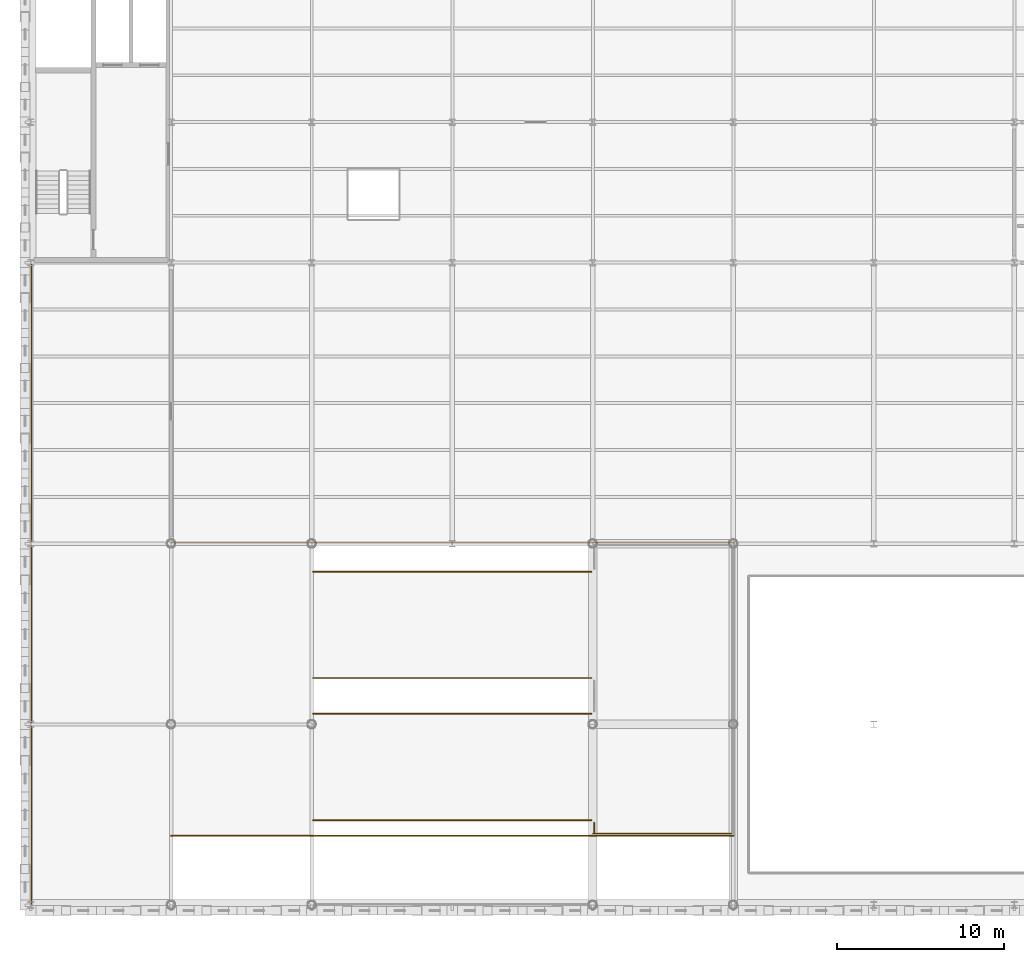
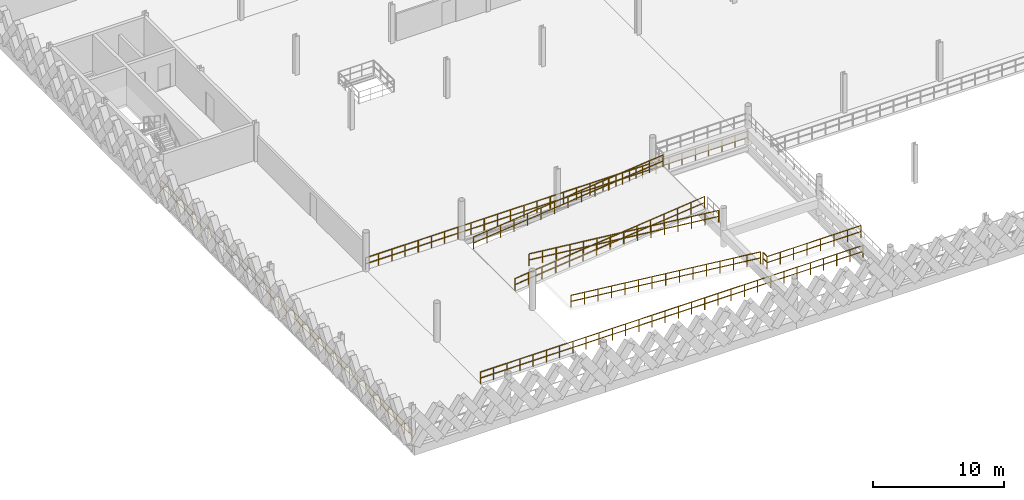
# One storey, part 54 of 62: 9 railings.
"""IFC4 building model written with IfcOpenShell, lengths in metres."""

from ifc_helpers import new_model, si_unit, direction, frame, origin, origin_2d, place, context, subcontext, project, spatial, circle, extrude, material, type_object, element, save


model = new_model("IFC4")

# Units and contexts
model_context = context("Model", 3, precision=1e-05, world=origin(), true_north=direction((0.0, 1.0)))
body_context = subcontext(model_context, "Body", "Model", "MODEL_VIEW")
ifc_project = project(units=[si_unit("LENGTHUNIT", "METRE"), si_unit("AREAUNIT", "SQUARE_METRE"), si_unit("VOLUMEUNIT", "CUBIC_METRE"), si_unit("PLANEANGLEUNIT", "RADIAN"), si_unit("MASSUNIT", "GRAM", prefix="KILO"), si_unit("THERMODYNAMICTEMPERATUREUNIT", "KELVIN"), si_unit("POWERUNIT", "WATT")], contexts=[model_context])

# Site, building, storey
site_placement = place(None, origin())
site = spatial("IfcSite", under=ifc_project, at=site_placement, CompositionType="ELEMENT")
building_placement = place(site_placement, origin())
building = spatial("IfcBuilding", under=site, at=building_placement, Name="Tembeka Court Mobility Hub", CompositionType="ELEMENT")
storey_placement = place(building_placement, frame((0.0, 0.0, 16.199951171875)))
storey = spatial("IfcBuildingStorey", under=building, at=storey_placement, Name="L04", CompositionType="ELEMENT", Elevation=16.199951171875)

# Railings
ifc_material = material(Name="Painted galvanised steel balustrade", Category="steel")
railing_type = type_object("IfcRailingType", Name="RL-GR02", PredefinedType="GUARDRAIL", material=ifc_material)
railing_1_placement = place(storey_placement, frame((0.050048828125, 0.080078125, 0.0)))
element("IfcRailing", 1, at=railing_1_placement, inside=storey, type_object=railing_type, Name="Perimeter guard GR02-0149", PredefinedType="GUARDRAIL", context=body_context, shape_type="SweptSolid", body=[
    extrude(circle(Radius=0.02392578125, at=origin_2d()), frame((0.0, 0.0, 1.09619140625), z_axis=(0.0, 1.0, 0.0), x_axis=(-1.0, 0.0, 0.0)), (0.0, 0.0, 1.0), 38.2900390625),
    extrude(circle(Radius=0.02392578125, at=origin_2d()), frame((0.0, 0.0, 0.5361328125), z_axis=(0.0, 1.0, 0.0), x_axis=(-1.0, 0.0, 0.0)), (0.0, 0.0, 1.0), 38.2900390625),
    extrude(circle(Radius=0.02099609375, at=origin_2d()), origin(), (0.0, 0.0, 1.0), 1.072021484375),
    extrude(circle(Radius=0.02099609375, at=origin_2d()), frame((0.0, 1.196533203125, 0.0)), (0.0, 0.0, 1.0), 1.072021484375),
    extrude(circle(Radius=0.02099609375, at=origin_2d()), frame((0.0, 2.39306640625, 0.0)), (0.0, 0.0, 1.0), 1.072021484375),
    extrude(circle(Radius=0.02099609375, at=origin_2d()), frame((0.0, 3.589599609375, 0.0)), (0.0, 0.0, 1.0), 1.072021484375),
    extrude(circle(Radius=0.02099609375, at=origin_2d()), frame((0.0, 4.7861328125, 0.0)), (0.0, 0.0, 1.0), 1.072021484375),
    extrude(circle(Radius=0.02099609375, at=origin_2d()), frame((0.0, 5.98291015625, 0.0)), (0.0, 0.0, 1.0), 1.072021484375),
    extrude(circle(Radius=0.02099609375, at=origin_2d()), frame((0.0, 7.179443359375, 0.0)), (0.0, 0.0, 1.0), 1.072021484375),
    extrude(circle(Radius=0.02099609375, at=origin_2d()), frame((0.0, 8.3759765625, 0.0)), (0.0, 0.0, 1.0), 1.072021484375),
    extrude(circle(Radius=0.02099609375, at=origin_2d()), frame((0.0, 9.572509765625, 0.0)), (0.0, 0.0, 1.0), 1.072021484375),
    extrude(circle(Radius=0.02099609375, at=origin_2d()), frame((0.0, 10.76904296875, 0.0)), (0.0, 0.0, 1.0), 1.072021484375),
    extrude(circle(Radius=0.02099609375, at=origin_2d()), frame((0.0, 11.965576171875, 0.0)), (0.0, 0.0, 1.0), 1.072021484375),
    extrude(circle(Radius=0.02099609375, at=origin_2d()), frame((0.0, 13.162109375, 0.0)), (0.0, 0.0, 1.0), 1.072021484375),
    extrude(circle(Radius=0.02099609375, at=origin_2d()), frame((0.0, 14.35888671875, 0.0)), (0.0, 0.0, 1.0), 1.072021484375),
    extrude(circle(Radius=0.02099609375, at=origin_2d()), frame((0.0, 15.555419921875, 0.0)), (0.0, 0.0, 1.0), 1.072021484375),
    extrude(circle(Radius=0.02099609375, at=origin_2d()), frame((0.0, 16.751953125, 0.0)), (0.0, 0.0, 1.0), 1.072021484375),
    extrude(circle(Radius=0.02099609375, at=origin_2d()), frame((0.0, 17.948486328125, 0.0)), (0.0, 0.0, 1.0), 1.072021484375),
    extrude(circle(Radius=0.02099609375, at=origin_2d()), frame((0.0, 19.14501953125, 0.0)), (0.0, 0.0, 1.0), 1.072021484375),
    extrude(circle(Radius=0.02099609375, at=origin_2d()), frame((0.0, 20.341552734375, 0.0)), (0.0, 0.0, 1.0), 1.072021484375),
    extrude(circle(Radius=0.02099609375, at=origin_2d()), frame((0.0, 21.5380859375, 0.0)), (0.0, 0.0, 1.0), 1.072021484375),
    extrude(circle(Radius=0.02099609375, at=origin_2d()), frame((0.0, 22.734619140625, 0.0)), (0.0, 0.0, 1.0), 1.072021484375),
    extrude(circle(Radius=0.02099609375, at=origin_2d()), frame((0.0, 23.93115234375, 0.0)), (0.0, 0.0, 1.0), 1.072021484375),
    extrude(circle(Radius=0.02099609375, at=origin_2d()), frame((0.0, 25.1279296875, 0.0)), (0.0, 0.0, 1.0), 1.072021484375),
    extrude(circle(Radius=0.02099609375, at=origin_2d()), frame((0.0, 26.324462890625, 0.0)), (0.0, 0.0, 1.0), 1.072021484375),
    extrude(circle(Radius=0.02099609375, at=origin_2d()), frame((0.0, 27.52099609375, 0.0)), (0.0, 0.0, 1.0), 1.072021484375),
    extrude(circle(Radius=0.02099609375, at=origin_2d()), frame((0.0, 28.717529296875, 0.0)), (0.0, 0.0, 1.0), 1.072021484375),
    extrude(circle(Radius=0.02099609375, at=origin_2d()), frame((0.0, 29.9140625, 0.0)), (0.0, 0.0, 1.0), 1.072021484375),
    extrude(circle(Radius=0.02099609375, at=origin_2d()), frame((0.0, 31.110595703125, 0.0)), (0.0, 0.0, 1.0), 1.072021484375),
    extrude(circle(Radius=0.02099609375, at=origin_2d()), frame((0.0, 32.30712890625, 0.0)), (0.0, 0.0, 1.0), 1.072021484375),
    extrude(circle(Radius=0.02099609375, at=origin_2d()), frame((0.0, 33.50390625, 0.0)), (0.0, 0.0, 1.0), 1.072021484375),
    extrude(circle(Radius=0.02099609375, at=origin_2d()), frame((0.0, 34.700439453125, 0.0)), (0.0, 0.0, 1.0), 1.072021484375),
    extrude(circle(Radius=0.02099609375, at=origin_2d()), frame((0.0, 35.89697265625, 0.0)), (0.0, 0.0, 1.0), 1.072021484375),
    extrude(circle(Radius=0.02099609375, at=origin_2d()), frame((0.0, 37.093505859375, 0.0)), (0.0, 0.0, 1.0), 1.072021484375),
    extrude(circle(Radius=0.02099609375, at=origin_2d()), frame((0.0, 38.2900390625, 0.0)), (0.0, 0.0, 1.0), 1.072021484375),
])
railing_2_placement = place(storey_placement, frame((8.3798828125, 4.14990234375, 0.0)))
element("IfcRailing", 2, at=railing_2_placement, inside=storey, type_object=railing_type, Name="Perimeter guard GR02-0271", PredefinedType="GUARDRAIL", context=body_context, shape_type="SweptSolid", body=[
    extrude(circle(Radius=0.02392578125, at=origin_2d()), frame((0.0, 0.0, 1.09619140625), z_axis=(1.0, 0.0, 0.0), x_axis=(0.0, 1.0, 0.0)), (0.0, 0.0, 1.0), 33.64013671875),
    extrude(circle(Radius=0.02392578125, at=origin_2d()), frame((0.0, 0.0, 0.5361328125), z_axis=(1.0, 0.0, 0.0), x_axis=(0.0, 1.0, 0.0)), (0.0, 0.0, 1.0), 33.64013671875),
    extrude(circle(Radius=0.02099609375, at=origin_2d()), origin(), (0.0, 0.0, 1.0), 1.072021484375),
    extrude(circle(Radius=0.02099609375, at=origin_2d()), frame((1.159912109375, 0.0, 0.0)), (0.0, 0.0, 1.0), 1.072021484375),
    extrude(circle(Radius=0.02099609375, at=origin_2d()), frame((2.320068359375, 0.0, 0.0)), (0.0, 0.0, 1.0), 1.072021484375),
    extrude(circle(Radius=0.02099609375, at=origin_2d()), frame((3.47998046875, 0.0, 0.0)), (0.0, 0.0, 1.0), 1.072021484375),
    extrude(circle(Radius=0.02099609375, at=origin_2d()), frame((4.64013671875, 0.0, 0.0)), (0.0, 0.0, 1.0), 1.072021484375),
    extrude(circle(Radius=0.02099609375, at=origin_2d()), frame((5.800048828125, 0.0, 0.0)), (0.0, 0.0, 1.0), 1.072021484375),
    extrude(circle(Radius=0.02099609375, at=origin_2d()), frame((6.9599609375, 0.0, 0.0)), (0.0, 0.0, 1.0), 1.072021484375),
    extrude(circle(Radius=0.02099609375, at=origin_2d()), frame((8.1201171875, 0.0, 0.0)), (0.0, 0.0, 1.0), 1.072021484375),
    extrude(circle(Radius=0.02099609375, at=origin_2d()), frame((9.280029296875, 0.0, 0.0)), (0.0, 0.0, 1.0), 1.072021484375),
    extrude(circle(Radius=0.02099609375, at=origin_2d()), frame((10.43994140625, 0.0, 0.0)), (0.0, 0.0, 1.0), 1.072021484375),
    extrude(circle(Radius=0.02099609375, at=origin_2d()), frame((11.60009765625, 0.0, 0.0)), (0.0, 0.0, 1.0), 1.072021484375),
    extrude(circle(Radius=0.02099609375, at=origin_2d()), frame((12.760009765625, 0.0, 0.0)), (0.0, 0.0, 1.0), 1.072021484375),
    extrude(circle(Radius=0.02099609375, at=origin_2d()), frame((13.920166015625, 0.0, 0.0)), (0.0, 0.0, 1.0), 1.072021484375),
    extrude(circle(Radius=0.02099609375, at=origin_2d()), frame((15.080078125, 0.0, 0.0)), (0.0, 0.0, 1.0), 1.072021484375),
    extrude(circle(Radius=0.02099609375, at=origin_2d()), frame((16.239990234375, 0.0, 0.0)), (0.0, 0.0, 1.0), 1.072021484375),
    extrude(circle(Radius=0.02099609375, at=origin_2d()), frame((17.400146484375, 0.0, 0.0)), (0.0, 0.0, 1.0), 1.072021484375),
    extrude(circle(Radius=0.02099609375, at=origin_2d()), frame((18.56005859375, 0.0, 0.0)), (0.0, 0.0, 1.0), 1.072021484375),
    extrude(circle(Radius=0.02099609375, at=origin_2d()), frame((19.719970703125, 0.0, 0.0)), (0.0, 0.0, 1.0), 1.072021484375),
    extrude(circle(Radius=0.02099609375, at=origin_2d()), frame((20.880126953125, 0.0, 0.0)), (0.0, 0.0, 1.0), 1.072021484375),
    extrude(circle(Radius=0.02099609375, at=origin_2d()), frame((22.0400390625, 0.0, 0.0)), (0.0, 0.0, 1.0), 1.072021484375),
    extrude(circle(Radius=0.02099609375, at=origin_2d()), frame((23.2001953125, 0.0, 0.0)), (0.0, 0.0, 1.0), 1.072021484375),
    extrude(circle(Radius=0.02099609375, at=origin_2d()), frame((24.360107421875, 0.0, 0.0)), (0.0, 0.0, 1.0), 1.072021484375),
    extrude(circle(Radius=0.02099609375, at=origin_2d()), frame((25.52001953125, 0.0, 0.0)), (0.0, 0.0, 1.0), 1.072021484375),
    extrude(circle(Radius=0.02099609375, at=origin_2d()), frame((26.68017578125, 0.0, 0.0)), (0.0, 0.0, 1.0), 1.072021484375),
    extrude(circle(Radius=0.02099609375, at=origin_2d()), frame((27.840087890625, 0.0, 0.0)), (0.0, 0.0, 1.0), 1.072021484375),
    extrude(circle(Radius=0.02099609375, at=origin_2d()), frame((29.0, 0.0, 0.0)), (0.0, 0.0, 1.0), 1.072021484375),
    extrude(circle(Radius=0.02099609375, at=origin_2d()), frame((30.16015625, 0.0, 0.0)), (0.0, 0.0, 1.0), 1.072021484375),
    extrude(circle(Radius=0.02099609375, at=origin_2d()), frame((31.320068359375, 0.0, 0.0)), (0.0, 0.0, 1.0), 1.072021484375),
    extrude(circle(Radius=0.02099609375, at=origin_2d()), frame((32.480224609375, 0.0, 0.0)), (0.0, 0.0, 1.0), 1.072021484375),
    extrude(circle(Radius=0.02099609375, at=origin_2d()), frame((33.64013671875, 0.0, 0.0)), (0.0, 0.0, 1.0), 1.072021484375),
])
railing_3_placement = place(storey_placement, frame((8.3798828125, 21.64990234375, 0.0)))
element("IfcRailing", 3, at=railing_3_placement, inside=storey, type_object=railing_type, Name="Perimeter guard GR02-0272", PredefinedType="GUARDRAIL", context=body_context, shape_type="SweptSolid", body=[
    extrude(circle(Radius=0.02392578125, at=origin_2d()), frame((0.0, 0.0, 1.09619140625), z_axis=(1.0, 0.0, 0.0), x_axis=(0.0, 1.0, 0.0)), (0.0, 0.0, 1.0), 33.64013671875),
    extrude(circle(Radius=0.02392578125, at=origin_2d()), frame((0.0, 0.0, 0.5361328125), z_axis=(1.0, 0.0, 0.0), x_axis=(0.0, 1.0, 0.0)), (0.0, 0.0, 1.0), 33.64013671875),
    extrude(circle(Radius=0.02099609375, at=origin_2d()), origin(), (0.0, 0.0, 1.0), 1.072021484375),
    extrude(circle(Radius=0.02099609375, at=origin_2d()), frame((1.159912109375, 0.0, 0.0)), (0.0, 0.0, 1.0), 1.072021484375),
    extrude(circle(Radius=0.02099609375, at=origin_2d()), frame((2.320068359375, 0.0, 0.0)), (0.0, 0.0, 1.0), 1.072021484375),
    extrude(circle(Radius=0.02099609375, at=origin_2d()), frame((3.47998046875, 0.0, 0.0)), (0.0, 0.0, 1.0), 1.072021484375),
    extrude(circle(Radius=0.02099609375, at=origin_2d()), frame((4.64013671875, 0.0, 0.0)), (0.0, 0.0, 1.0), 1.072021484375),
    extrude(circle(Radius=0.02099609375, at=origin_2d()), frame((5.800048828125, 0.0, 0.0)), (0.0, 0.0, 1.0), 1.072021484375),
    extrude(circle(Radius=0.02099609375, at=origin_2d()), frame((6.9599609375, 0.0, 0.0)), (0.0, 0.0, 1.0), 1.072021484375),
    extrude(circle(Radius=0.02099609375, at=origin_2d()), frame((8.1201171875, 0.0, 0.0)), (0.0, 0.0, 1.0), 1.072021484375),
    extrude(circle(Radius=0.02099609375, at=origin_2d()), frame((9.280029296875, 0.0, 0.0)), (0.0, 0.0, 1.0), 1.072021484375),
    extrude(circle(Radius=0.02099609375, at=origin_2d()), frame((10.43994140625, 0.0, 0.0)), (0.0, 0.0, 1.0), 1.072021484375),
    extrude(circle(Radius=0.02099609375, at=origin_2d()), frame((11.60009765625, 0.0, 0.0)), (0.0, 0.0, 1.0), 1.072021484375),
    extrude(circle(Radius=0.02099609375, at=origin_2d()), frame((12.760009765625, 0.0, 0.0)), (0.0, 0.0, 1.0), 1.072021484375),
    extrude(circle(Radius=0.02099609375, at=origin_2d()), frame((13.920166015625, 0.0, 0.0)), (0.0, 0.0, 1.0), 1.072021484375),
    extrude(circle(Radius=0.02099609375, at=origin_2d()), frame((15.080078125, 0.0, 0.0)), (0.0, 0.0, 1.0), 1.072021484375),
    extrude(circle(Radius=0.02099609375, at=origin_2d()), frame((16.239990234375, 0.0, 0.0)), (0.0, 0.0, 1.0), 1.072021484375),
    extrude(circle(Radius=0.02099609375, at=origin_2d()), frame((17.400146484375, 0.0, 0.0)), (0.0, 0.0, 1.0), 1.072021484375),
    extrude(circle(Radius=0.02099609375, at=origin_2d()), frame((18.56005859375, 0.0, 0.0)), (0.0, 0.0, 1.0), 1.072021484375),
    extrude(circle(Radius=0.02099609375, at=origin_2d()), frame((19.719970703125, 0.0, 0.0)), (0.0, 0.0, 1.0), 1.072021484375),
    extrude(circle(Radius=0.02099609375, at=origin_2d()), frame((20.880126953125, 0.0, 0.0)), (0.0, 0.0, 1.0), 1.072021484375),
    extrude(circle(Radius=0.02099609375, at=origin_2d()), frame((22.0400390625, 0.0, 0.0)), (0.0, 0.0, 1.0), 1.072021484375),
    extrude(circle(Radius=0.02099609375, at=origin_2d()), frame((23.2001953125, 0.0, 0.0)), (0.0, 0.0, 1.0), 1.072021484375),
    extrude(circle(Radius=0.02099609375, at=origin_2d()), frame((24.360107421875, 0.0, 0.0)), (0.0, 0.0, 1.0), 1.072021484375),
    extrude(circle(Radius=0.02099609375, at=origin_2d()), frame((25.52001953125, 0.0, 0.0)), (0.0, 0.0, 1.0), 1.072021484375),
    extrude(circle(Radius=0.02099609375, at=origin_2d()), frame((26.68017578125, 0.0, 0.0)), (0.0, 0.0, 1.0), 1.072021484375),
    extrude(circle(Radius=0.02099609375, at=origin_2d()), frame((27.840087890625, 0.0, 0.0)), (0.0, 0.0, 1.0), 1.072021484375),
    extrude(circle(Radius=0.02099609375, at=origin_2d()), frame((29.0, 0.0, 0.0)), (0.0, 0.0, 1.0), 1.072021484375),
    extrude(circle(Radius=0.02099609375, at=origin_2d()), frame((30.16015625, 0.0, 0.0)), (0.0, 0.0, 1.0), 1.072021484375),
    extrude(circle(Radius=0.02099609375, at=origin_2d()), frame((31.320068359375, 0.0, 0.0)), (0.0, 0.0, 1.0), 1.072021484375),
    extrude(circle(Radius=0.02099609375, at=origin_2d()), frame((32.480224609375, 0.0, 0.0)), (0.0, 0.0, 1.0), 1.072021484375),
    extrude(circle(Radius=0.02099609375, at=origin_2d()), frame((33.64013671875, 0.0, 0.0)), (0.0, 0.0, 1.0), 1.072021484375),
])
railing_4_placement = place(storey_placement, frame((16.869873046875, 13.570068359375, 0.003173828125)))
element("IfcRailing", 4, at=railing_4_placement, inside=storey, type_object=railing_type, Name="Perimeter guard GR02-0327", PredefinedType="GUARDRAIL", context=body_context, shape_type="SweptSolid", body=[
    extrude(circle(Radius=0.02392578125, at=origin_2d()), frame((0.0, 0.0, 1.09619140625), z_axis=(0.994254289674, 0.0, 0.107043951089), x_axis=(0.0, 1.0, 0.0)), (0.0, 0.0, 1.0), 16.756591796875),
    extrude(circle(Radius=0.02392578125, at=origin_2d()), frame((0.0, 0.0, 0.5361328125), z_axis=(0.994254289674, 0.0, 0.107043951089), x_axis=(0.0, 1.0, 0.0)), (0.0, 0.0, 1.0), 16.756591796875),
    extrude(circle(Radius=0.02099609375, at=origin_2d()), origin(), (0.0, 0.0, 1.0), 1.072021484375),
    extrude(circle(Radius=0.02099609375, at=origin_2d()), frame((1.18994140625, 0.0, 0.128173828125)), (0.0, 0.0, 1.0), 1.072021484375),
    extrude(circle(Radius=0.02099609375, at=origin_2d()), frame((2.380126953125, 0.0, 0.25634765625)), (0.0, 0.0, 1.0), 1.072021484375),
    extrude(circle(Radius=0.02099609375, at=origin_2d()), frame((3.570068359375, 0.0, 0.38427734375)), (0.0, 0.0, 1.0), 1.072021484375),
    extrude(circle(Radius=0.02099609375, at=origin_2d()), frame((4.760009765625, 0.0, 0.512451171875)), (0.0, 0.0, 1.0), 1.072021484375),
    extrude(circle(Radius=0.02099609375, at=origin_2d()), frame((5.9501953125, 0.0, 0.640625)), (0.0, 0.0, 1.0), 1.072021484375),
    extrude(circle(Radius=0.02099609375, at=origin_2d()), frame((7.14013671875, 0.0, 0.768798828125)), (0.0, 0.0, 1.0), 1.072021484375),
    extrude(circle(Radius=0.02099609375, at=origin_2d()), frame((8.330078125, 0.0, 0.89697265625)), (0.0, 0.0, 1.0), 1.072021484375),
    extrude(circle(Radius=0.02099609375, at=origin_2d()), frame((9.520263671875, 0.0, 1.02490234375)), (0.0, 0.0, 1.0), 1.072021484375),
    extrude(circle(Radius=0.02099609375, at=origin_2d()), frame((10.710205078125, 0.0, 1.153076171875)), (0.0, 0.0, 1.0), 1.072021484375),
    extrude(circle(Radius=0.02099609375, at=origin_2d()), frame((11.900390625, 0.0, 1.28125)), (0.0, 0.0, 1.0), 1.072021484375),
    extrude(circle(Radius=0.02099609375, at=origin_2d()), frame((13.09033203125, 0.0, 1.409423828125)), (0.0, 0.0, 1.0), 1.072021484375),
    extrude(circle(Radius=0.02099609375, at=origin_2d()), frame((14.2802734375, 0.0, 1.537353515625)), (0.0, 0.0, 1.0), 1.072021484375),
    extrude(circle(Radius=0.02099609375, at=origin_2d()), frame((15.470458984375, 0.0, 1.66552734375)), (0.0, 0.0, 1.0), 1.072021484375),
    extrude(circle(Radius=0.02099609375, at=origin_2d()), frame((16.660400390625, 0.0, 1.793701171875)), (0.0, 0.0, 1.0), 1.072021484375),
])
railing_5_placement = place(storey_placement, frame((33.5302734375, 5.070068359375, 1.80322265625)))
element("IfcRailing", 5, at=railing_5_placement, inside=storey, type_object=railing_type, Name="Perimeter guard GR02-0328", PredefinedType="GUARDRAIL", context=body_context, shape_type="SweptSolid", body=[
    extrude(circle(Radius=0.02392578125, at=origin_2d()), frame((0.0, 0.0, 1.09619140625), z_axis=(-0.994254289674, 0.0, 0.107043951089), x_axis=(0.0, -1.0, 0.0)), (0.0, 0.0, 1.0), 16.756591796875),
    extrude(circle(Radius=0.02392578125, at=origin_2d()), frame((0.0, 0.0, 0.5361328125), z_axis=(-0.994254289674, 0.0, 0.107043951089), x_axis=(0.0, -1.0, 0.0)), (0.0, 0.0, 1.0), 16.756591796875),
    extrude(circle(Radius=0.02099609375, at=origin_2d()), origin(), (0.0, 0.0, 1.0), 1.072021484375),
    extrude(circle(Radius=0.02099609375, at=origin_2d()), frame((-1.18994140625, 0.0, 0.128173828125)), (0.0, 0.0, 1.0), 1.072021484375),
    extrude(circle(Radius=0.02099609375, at=origin_2d()), frame((-2.380126953125, 0.0, 0.25634765625)), (0.0, 0.0, 1.0), 1.072021484375),
    extrude(circle(Radius=0.02099609375, at=origin_2d()), frame((-3.570068359375, 0.0, 0.38427734375)), (0.0, 0.0, 1.0), 1.072021484375),
    extrude(circle(Radius=0.02099609375, at=origin_2d()), frame((-4.760009765625, 0.0, 0.512451171875)), (0.0, 0.0, 1.0), 1.072021484375),
    extrude(circle(Radius=0.02099609375, at=origin_2d()), frame((-5.9501953125, 0.0, 0.640625)), (0.0, 0.0, 1.0), 1.072021484375),
    extrude(circle(Radius=0.02099609375, at=origin_2d()), frame((-7.14013671875, 0.0, 0.768798828125)), (0.0, 0.0, 1.0), 1.072021484375),
    extrude(circle(Radius=0.02099609375, at=origin_2d()), frame((-8.330078125, 0.0, 0.89697265625)), (0.0, 0.0, 1.0), 1.072021484375),
    extrude(circle(Radius=0.02099609375, at=origin_2d()), frame((-9.520263671875, 0.0, 1.02490234375)), (0.0, 0.0, 1.0), 1.072021484375),
    extrude(circle(Radius=0.02099609375, at=origin_2d()), frame((-10.710205078125, 0.0, 1.153076171875)), (0.0, 0.0, 1.0), 1.072021484375),
    extrude(circle(Radius=0.02099609375, at=origin_2d()), frame((-11.900390625, 0.0, 1.28125)), (0.0, 0.0, 1.0), 1.072021484375),
    extrude(circle(Radius=0.02099609375, at=origin_2d()), frame((-13.09033203125, 0.0, 1.409423828125)), (0.0, 0.0, 1.0), 1.072021484375),
    extrude(circle(Radius=0.02099609375, at=origin_2d()), frame((-14.2802734375, 0.0, 1.537353515625)), (0.0, 0.0, 1.0), 1.072021484375),
    extrude(circle(Radius=0.02099609375, at=origin_2d()), frame((-15.470458984375, 0.0, 1.66552734375)), (0.0, 0.0, 1.0), 1.072021484375),
    extrude(circle(Radius=0.02099609375, at=origin_2d()), frame((-16.660400390625, 0.0, 1.793701171875)), (0.0, 0.0, 1.0), 1.072021484375),
])
railing_6_placement = place(storey_placement, frame((16.869873046875, 19.929931640625, 0.003173828125)))
element("IfcRailing", 6, at=railing_6_placement, inside=storey, type_object=railing_type, Name="Perimeter guard GR02-0329", PredefinedType="GUARDRAIL", context=body_context, shape_type="SweptSolid", body=[
    extrude(circle(Radius=0.02392578125, at=origin_2d()), frame((0.0, 0.0, 1.09619140625), z_axis=(0.994254289674, 0.0, 0.107043951089), x_axis=(0.0, 1.0, 0.0)), (0.0, 0.0, 1.0), 16.756591796875),
    extrude(circle(Radius=0.02392578125, at=origin_2d()), frame((0.0, 0.0, 0.5361328125), z_axis=(0.994254289674, 0.0, 0.107043951089), x_axis=(0.0, 1.0, 0.0)), (0.0, 0.0, 1.0), 16.756591796875),
    extrude(circle(Radius=0.02099609375, at=origin_2d()), origin(), (0.0, 0.0, 1.0), 1.072021484375),
    extrude(circle(Radius=0.02099609375, at=origin_2d()), frame((1.18994140625, 0.0, 0.128173828125)), (0.0, 0.0, 1.0), 1.072021484375),
    extrude(circle(Radius=0.02099609375, at=origin_2d()), frame((2.380126953125, 0.0, 0.25634765625)), (0.0, 0.0, 1.0), 1.072021484375),
    extrude(circle(Radius=0.02099609375, at=origin_2d()), frame((3.570068359375, 0.0, 0.38427734375)), (0.0, 0.0, 1.0), 1.072021484375),
    extrude(circle(Radius=0.02099609375, at=origin_2d()), frame((4.760009765625, 0.0, 0.512451171875)), (0.0, 0.0, 1.0), 1.072021484375),
    extrude(circle(Radius=0.02099609375, at=origin_2d()), frame((5.9501953125, 0.0, 0.640625)), (0.0, 0.0, 1.0), 1.072021484375),
    extrude(circle(Radius=0.02099609375, at=origin_2d()), frame((7.14013671875, 0.0, 0.768798828125)), (0.0, 0.0, 1.0), 1.072021484375),
    extrude(circle(Radius=0.02099609375, at=origin_2d()), frame((8.330078125, 0.0, 0.89697265625)), (0.0, 0.0, 1.0), 1.072021484375),
    extrude(circle(Radius=0.02099609375, at=origin_2d()), frame((9.520263671875, 0.0, 1.02490234375)), (0.0, 0.0, 1.0), 1.072021484375),
    extrude(circle(Radius=0.02099609375, at=origin_2d()), frame((10.710205078125, 0.0, 1.153076171875)), (0.0, 0.0, 1.0), 1.072021484375),
    extrude(circle(Radius=0.02099609375, at=origin_2d()), frame((11.900390625, 0.0, 1.28125)), (0.0, 0.0, 1.0), 1.072021484375),
    extrude(circle(Radius=0.02099609375, at=origin_2d()), frame((13.09033203125, 0.0, 1.409423828125)), (0.0, 0.0, 1.0), 1.072021484375),
    extrude(circle(Radius=0.02099609375, at=origin_2d()), frame((14.2802734375, 0.0, 1.537353515625)), (0.0, 0.0, 1.0), 1.072021484375),
    extrude(circle(Radius=0.02099609375, at=origin_2d()), frame((15.470458984375, 0.0, 1.66552734375)), (0.0, 0.0, 1.0), 1.072021484375),
    extrude(circle(Radius=0.02099609375, at=origin_2d()), frame((16.660400390625, 0.0, 1.793701171875)), (0.0, 0.0, 1.0), 1.072021484375),
])
railing_7_placement = place(storey_placement, frame((33.5302734375, 11.429931640625, 1.80322265625)))
element("IfcRailing", 7, at=railing_7_placement, inside=storey, type_object=railing_type, Name="Perimeter guard GR02-0330", PredefinedType="GUARDRAIL", context=body_context, shape_type="SweptSolid", body=[
    extrude(circle(Radius=0.02392578125, at=origin_2d()), frame((0.0, 0.0, 1.09619140625), z_axis=(-0.994254289674, 0.0, 0.107043951089), x_axis=(0.0, -1.0, 0.0)), (0.0, 0.0, 1.0), 16.756591796875),
    extrude(circle(Radius=0.02392578125, at=origin_2d()), frame((0.0, 0.0, 0.5361328125), z_axis=(-0.994254289674, 0.0, 0.107043951089), x_axis=(0.0, -1.0, 0.0)), (0.0, 0.0, 1.0), 16.756591796875),
    extrude(circle(Radius=0.02099609375, at=origin_2d()), origin(), (0.0, 0.0, 1.0), 1.072021484375),
    extrude(circle(Radius=0.02099609375, at=origin_2d()), frame((-1.18994140625, 0.0, 0.128173828125)), (0.0, 0.0, 1.0), 1.072021484375),
    extrude(circle(Radius=0.02099609375, at=origin_2d()), frame((-2.380126953125, 0.0, 0.25634765625)), (0.0, 0.0, 1.0), 1.072021484375),
    extrude(circle(Radius=0.02099609375, at=origin_2d()), frame((-3.570068359375, 0.0, 0.38427734375)), (0.0, 0.0, 1.0), 1.072021484375),
    extrude(circle(Radius=0.02099609375, at=origin_2d()), frame((-4.760009765625, 0.0, 0.512451171875)), (0.0, 0.0, 1.0), 1.072021484375),
    extrude(circle(Radius=0.02099609375, at=origin_2d()), frame((-5.9501953125, 0.0, 0.640625)), (0.0, 0.0, 1.0), 1.072021484375),
    extrude(circle(Radius=0.02099609375, at=origin_2d()), frame((-7.14013671875, 0.0, 0.768798828125)), (0.0, 0.0, 1.0), 1.072021484375),
    extrude(circle(Radius=0.02099609375, at=origin_2d()), frame((-8.330078125, 0.0, 0.89697265625)), (0.0, 0.0, 1.0), 1.072021484375),
    extrude(circle(Radius=0.02099609375, at=origin_2d()), frame((-9.520263671875, 0.0, 1.02490234375)), (0.0, 0.0, 1.0), 1.072021484375),
    extrude(circle(Radius=0.02099609375, at=origin_2d()), frame((-10.710205078125, 0.0, 1.153076171875)), (0.0, 0.0, 1.0), 1.072021484375),
    extrude(circle(Radius=0.02099609375, at=origin_2d()), frame((-11.900390625, 0.0, 1.28125)), (0.0, 0.0, 1.0), 1.072021484375),
    extrude(circle(Radius=0.02099609375, at=origin_2d()), frame((-13.09033203125, 0.0, 1.409423828125)), (0.0, 0.0, 1.0), 1.072021484375),
    extrude(circle(Radius=0.02099609375, at=origin_2d()), frame((-14.2802734375, 0.0, 1.537353515625)), (0.0, 0.0, 1.0), 1.072021484375),
    extrude(circle(Radius=0.02099609375, at=origin_2d()), frame((-15.470458984375, 0.0, 1.66552734375)), (0.0, 0.0, 1.0), 1.072021484375),
    extrude(circle(Radius=0.02099609375, at=origin_2d()), frame((-16.660400390625, 0.0, 1.793701171875)), (0.0, 0.0, 1.0), 1.072021484375),
])
railing_8_placement = place(storey_placement, frame((33.6298828125, 4.280029296875, 1.800048828125)))
element("IfcRailing", 8, at=railing_8_placement, inside=storey, type_object=railing_type, Name="Perimeter guard GR02-0331", PredefinedType="GUARDRAIL", context=body_context, shape_type="SweptSolid", body=[
    extrude(circle(Radius=0.02392578125, at=origin_2d()), frame((0.0, 0.0, 1.09619140625), z_axis=(1.0, 0.0, 0.0), x_axis=(0.0, 1.0, 0.0)), (0.0, 0.0, 1.0), 8.260009765625),
    extrude(circle(Radius=0.02392578125, at=origin_2d()), frame((0.0, 0.0, 0.5361328125), z_axis=(1.0, 0.0, 0.0), x_axis=(0.0, 1.0, 0.0)), (0.0, 0.0, 1.0), 8.260009765625),
    extrude(circle(Radius=0.02099609375, at=origin_2d()), origin(), (0.0, 0.0, 1.0), 1.072021484375),
    extrude(circle(Radius=0.02099609375, at=origin_2d()), frame((1.179931640625, 0.0, 0.0)), (0.0, 0.0, 1.0), 1.072021484375),
    extrude(circle(Radius=0.02099609375, at=origin_2d()), frame((2.360107421875, 0.0, 0.0)), (0.0, 0.0, 1.0), 1.072021484375),
    extrude(circle(Radius=0.02099609375, at=origin_2d()), frame((3.5400390625, 0.0, 0.0)), (0.0, 0.0, 1.0), 1.072021484375),
    extrude(circle(Radius=0.02099609375, at=origin_2d()), frame((4.719970703125, 0.0, 0.0)), (0.0, 0.0, 1.0), 1.072021484375),
    extrude(circle(Radius=0.02099609375, at=origin_2d()), frame((5.89990234375, 0.0, 0.0)), (0.0, 0.0, 1.0), 1.072021484375),
    extrude(circle(Radius=0.02099609375, at=origin_2d()), frame((7.080078125, 0.0, 0.0)), (0.0, 0.0, 1.0), 1.072021484375),
    extrude(circle(Radius=0.02099609375, at=origin_2d()), frame((8.260009765625, 0.0, 0.0)), (0.0, 0.0, 1.0), 1.072021484375),
])
railing_9_placement = place(storey_placement, frame((33.679931640625, 4.31005859375, 1.800048828125)))
element("IfcRailing", 9, at=railing_9_placement, inside=storey, type_object=railing_type, Name="Perimeter guard GR02-0334", PredefinedType="GUARDRAIL", context=body_context, shape_type="SweptSolid", body=[
    extrude(circle(Radius=0.02392578125, at=origin_2d()), frame((0.0, 0.0, 1.09619140625), z_axis=(0.0, 1.0, 0.0), x_axis=(-1.0, 0.0, 0.0)), (0.0, 0.0, 1.0), 0.60986328125),
    extrude(circle(Radius=0.02392578125, at=origin_2d()), frame((0.0, 0.0, 0.5361328125), z_axis=(0.0, 1.0, 0.0), x_axis=(-1.0, 0.0, 0.0)), (0.0, 0.0, 1.0), 0.60986328125),
    extrude(circle(Radius=0.02099609375, at=origin_2d()), origin(), (0.0, 0.0, 1.0), 1.072021484375),
    extrude(circle(Radius=0.02099609375, at=origin_2d()), frame((0.0, 0.60986328125, 0.0)), (0.0, 0.0, 1.0), 1.072021484375),
])

save(model, "model.ifc")
